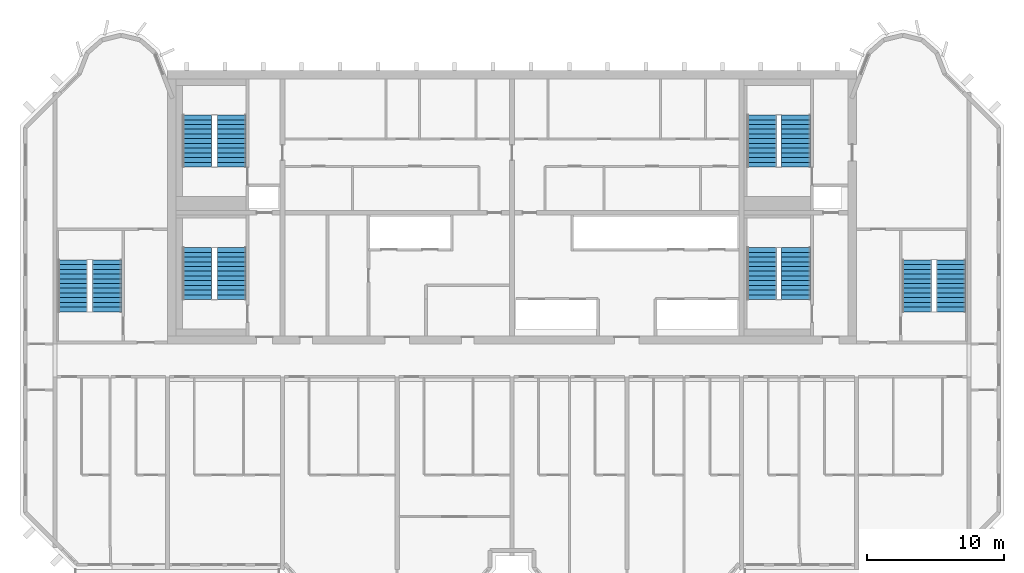
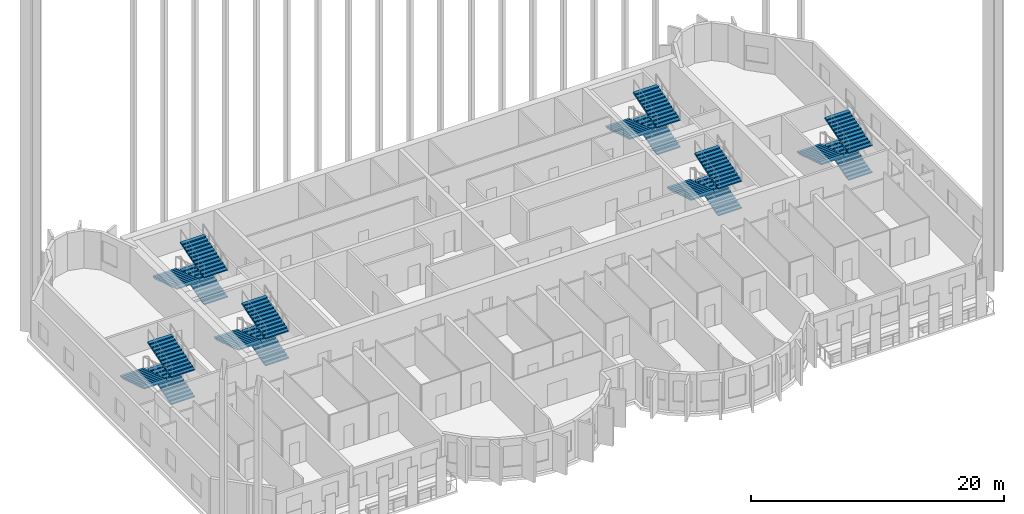
# One storey, part 9 of 13: 18 stair flights, 6 elements without a shape of their own.
"""IFC4 building model written with IfcOpenShell, lengths in metres."""

from ifc_helpers import new_model, si_unit, direction, frame, origin, place, context, subcontext, project, spatial, polyline, outline, extrude, source, transform, mapped, material, type_object, element, aggregate, save


model = new_model("IFC4")

# Units and contexts
model_context = context("Model", 3, precision=1e-05, world=origin(), true_north=direction((0.0, 1.0)))
body_context = subcontext(model_context, "Body", "Model", "MODEL_VIEW")
ifc_project = project(units=[si_unit("LENGTHUNIT", "METRE"), si_unit("AREAUNIT", "SQUARE_METRE"), si_unit("VOLUMEUNIT", "CUBIC_METRE"), si_unit("PLANEANGLEUNIT", "RADIAN"), si_unit("MASSUNIT", "GRAM", prefix="KILO")], contexts=[model_context])

# Site, building, storey
site_placement = place(None, origin())
site = spatial("IfcSite", under=ifc_project, at=site_placement, CompositionType="ELEMENT")
building_placement = place(site_placement, origin())
building = spatial("IfcBuilding", under=site, at=building_placement, Name="Vanashikhar Sky Hotel", CompositionType="ELEMENT")
storey_placement = place(building_placement, frame((0.0, 0.0, 214.0)))
storey = spatial("IfcBuildingStorey", under=building, at=storey_placement, Name="L51", CompositionType="ELEMENT", Elevation=214.0)

# Stair, stair flights
ifc_material = material(Name="Concrete M40", Category="concrete")
stair_type = type_object("IfcStairType", Name="Exit stair 2150", PredefinedType="DOUBLE_RETURN_STAIR", material=ifc_material)
stair_1_placement = place(storey_placement, origin())
stair_1 = element("IfcStair", 1, at=stair_1_placement, inside=storey, type_object=stair_type, Name="L51 Exit stair 1", PredefinedType="DOUBLE_RETURN_STAIR")
stair_flight_type = type_object("IfcStairFlightType", Name="Stair flight 2150", PredefinedType="STRAIGHT", material=ifc_material)
shared_shape = source(origin(), body_context, "Body", "SweptSolid", [
    extrude(outline(polyline([(0.0, 0.0), (0.0, 0.1083984375), (0.345458984375, 0.1083984375), (0.345458984375, 0.216552734375), (0.69091796875, 0.216552734375), (0.69091796875, 0.324951171875), (1.036376953125, 0.324951171875), (1.036376953125, 0.433349609375), (1.3818359375, 0.433349609375), (1.3818359375, 0.541748046875), (1.727294921875, 0.541748046875), (1.727294921875, 0.64990234375), (2.07275390625, 0.64990234375), (2.07275390625, 0.75830078125), (2.418212890625, 0.75830078125), (2.418212890625, 0.86669921875), (2.763671875, 0.86669921875), (2.763671875, 0.97509765625), (3.109130859375, 0.97509765625), (3.109130859375, 1.083251953125), (3.45458984375, 1.083251953125), (3.45458984375, 1.191650390625), (3.800048828125, 1.191650390625), (3.800048828125, 1.300048828125), (3.800048828125, 1.065673828125), (0.4013671875, 0.0), (0.0, 0.0)])), frame((0.0, 1.074951171875, 0.0), z_axis=(0.0, -1.0, 0.0), x_axis=(1.0, 0.0, 0.0)), (0.0, 0.0, 1.0), 2.14990234375),
])
stair_flight_1_placement = place(storey_placement, frame((29.875, 25.25, 0.0), z_axis=(0.0, 0.0, 1.0), x_axis=(0.0, 1.0, 0.0)))
stair_flight_1 = element("IfcStairFlight", 2, at=stair_flight_1_placement, type_object=stair_flight_type, Name="ST-C1 flight 1", NumberOfRisers=12, NumberOfTreads=11, PredefinedType="STRAIGHT", RiserHeight=0.108333333, TreadLength=0.345454545, context=body_context, shape_type="MappedRepresentation", body=[
    mapped(shared_shape, transform((0.0, 0.0, 0.0), scale=1.0)),
])
stair_flight_2_placement = place(storey_placement, frame((27.375, 29.050048828125, 1.300048828125), z_axis=(0.0, 0.0, 1.0), x_axis=(0.0, -1.0, 0.0)))
stair_flight_2 = element("IfcStairFlight", 3, at=stair_flight_2_placement, type_object=stair_flight_type, Name="ST-C1 flight 2", NumberOfRisers=12, NumberOfTreads=11, PredefinedType="STRAIGHT", RiserHeight=0.108333333, TreadLength=0.345454545, context=body_context, shape_type="MappedRepresentation", body=[
    mapped(shared_shape, transform((0.0, 0.0, 0.0), scale=1.0)),
])
stair_flight_3_placement = place(storey_placement, frame((29.875, 25.25, 2.60009765625), z_axis=(0.0, 0.0, 1.0), x_axis=(0.0, 1.0, 0.0)))
stair_flight_3 = element("IfcStairFlight", 4, at=stair_flight_3_placement, type_object=stair_flight_type, Name="ST-C1 flight 3", NumberOfRisers=12, NumberOfTreads=11, PredefinedType="STRAIGHT", RiserHeight=0.108333333, TreadLength=0.345454545, context=body_context, shape_type="MappedRepresentation", body=[
    mapped(shared_shape, transform((0.0, 0.0, 0.0), scale=1.0)),
])
aggregate(stair_1, [stair_flight_1, stair_flight_2, stair_flight_3])

stair_2_placement = place(storey_placement, origin())
stair_2 = element("IfcStair", 5, at=stair_2_placement, inside=storey, type_object=stair_type, Name="L51 Exit stair 2", PredefinedType="DOUBLE_RETURN_STAIR")
stair_flight_4_placement = place(storey_placement, frame((71.175048828125, 25.25, 0.0), z_axis=(0.0, 0.0, 1.0), x_axis=(0.0, 1.0, 0.0)))
stair_flight_4 = element("IfcStairFlight", 6, at=stair_flight_4_placement, type_object=stair_flight_type, Name="ST-C2 flight 1", NumberOfRisers=12, NumberOfTreads=11, PredefinedType="STRAIGHT", RiserHeight=0.108333333, TreadLength=0.345454545, context=body_context, shape_type="MappedRepresentation", body=[
    mapped(shared_shape, transform((0.0, 0.0, 0.0), scale=1.0)),
])
stair_flight_5_placement = place(storey_placement, frame((68.675048828125, 29.050048828125, 1.300048828125), z_axis=(0.0, 0.0, 1.0), x_axis=(0.0, -1.0, 0.0)))
stair_flight_5 = element("IfcStairFlight", 7, at=stair_flight_5_placement, type_object=stair_flight_type, Name="ST-C2 flight 2", NumberOfRisers=12, NumberOfTreads=11, PredefinedType="STRAIGHT", RiserHeight=0.108333333, TreadLength=0.345454545, context=body_context, shape_type="MappedRepresentation", body=[
    mapped(shared_shape, transform((0.0, 0.0, 0.0), scale=1.0)),
])
stair_flight_6_placement = place(storey_placement, frame((71.175048828125, 25.25, 2.60009765625), z_axis=(0.0, 0.0, 1.0), x_axis=(0.0, 1.0, 0.0)))
stair_flight_6 = element("IfcStairFlight", 8, at=stair_flight_6_placement, type_object=stair_flight_type, Name="ST-C2 flight 3", NumberOfRisers=12, NumberOfTreads=11, PredefinedType="STRAIGHT", RiserHeight=0.108333333, TreadLength=0.345454545, context=body_context, shape_type="MappedRepresentation", body=[
    mapped(shared_shape, transform((0.0, 0.0, 0.0), scale=1.0)),
])
aggregate(stair_2, [stair_flight_4, stair_flight_5, stair_flight_6])

stair_3_placement = place(storey_placement, origin())
stair_3 = element("IfcStair", 9, at=stair_3_placement, inside=storey, type_object=stair_type, Name="L51 Exit stair 3", PredefinedType="DOUBLE_RETURN_STAIR")
stair_flight_7_placement = place(storey_placement, frame((20.77490234375, 24.35009765625, 0.0), z_axis=(0.0, 0.0, 1.0), x_axis=(0.0, 1.0, 0.0)))
stair_flight_7 = element("IfcStairFlight", 10, at=stair_flight_7_placement, type_object=stair_flight_type, Name="ST-W flight 1", NumberOfRisers=12, NumberOfTreads=11, PredefinedType="STRAIGHT", RiserHeight=0.108333333, TreadLength=0.345454545, context=body_context, shape_type="MappedRepresentation", body=[
    mapped(shared_shape, transform((0.0, 0.0, 0.0), scale=1.0)),
])
stair_flight_8_placement = place(storey_placement, frame((18.27490234375, 28.14990234375, 1.300048828125), z_axis=(0.0, 0.0, 1.0), x_axis=(0.0, -1.0, 0.0)))
stair_flight_8 = element("IfcStairFlight", 11, at=stair_flight_8_placement, type_object=stair_flight_type, Name="ST-W flight 2", NumberOfRisers=12, NumberOfTreads=11, PredefinedType="STRAIGHT", RiserHeight=0.108333333, TreadLength=0.345454545, context=body_context, shape_type="MappedRepresentation", body=[
    mapped(shared_shape, transform((0.0, 0.0, 0.0), scale=1.0)),
])
stair_flight_9_placement = place(storey_placement, frame((20.77490234375, 24.35009765625, 2.60009765625), z_axis=(0.0, 0.0, 1.0), x_axis=(0.0, 1.0, 0.0)))
stair_flight_9 = element("IfcStairFlight", 12, at=stair_flight_9_placement, type_object=stair_flight_type, Name="ST-W flight 3", NumberOfRisers=12, NumberOfTreads=11, PredefinedType="STRAIGHT", RiserHeight=0.108333333, TreadLength=0.345454545, context=body_context, shape_type="MappedRepresentation", body=[
    mapped(shared_shape, transform((0.0, 0.0, 0.0), scale=1.0)),
])
aggregate(stair_3, [stair_flight_7, stair_flight_8, stair_flight_9])

stair_4_placement = place(storey_placement, origin())
stair_4 = element("IfcStair", 13, at=stair_4_placement, inside=storey, type_object=stair_type, Name="L51 Exit stair 4", PredefinedType="DOUBLE_RETURN_STAIR")
stair_flight_10_placement = place(storey_placement, frame((82.52490234375, 24.35009765625, 0.0), z_axis=(0.0, 0.0, 1.0), x_axis=(0.0, 1.0, 0.0)))
stair_flight_10 = element("IfcStairFlight", 14, at=stair_flight_10_placement, type_object=stair_flight_type, Name="ST-E flight 1", NumberOfRisers=12, NumberOfTreads=11, PredefinedType="STRAIGHT", RiserHeight=0.108333333, TreadLength=0.345454545, context=body_context, shape_type="MappedRepresentation", body=[
    mapped(shared_shape, transform((0.0, 0.0, 0.0), scale=1.0)),
])
stair_flight_11_placement = place(storey_placement, frame((80.02490234375, 28.14990234375, 1.300048828125), z_axis=(0.0, 0.0, 1.0), x_axis=(0.0, -1.0, 0.0)))
stair_flight_11 = element("IfcStairFlight", 15, at=stair_flight_11_placement, type_object=stair_flight_type, Name="ST-E flight 2", NumberOfRisers=12, NumberOfTreads=11, PredefinedType="STRAIGHT", RiserHeight=0.108333333, TreadLength=0.345454545, context=body_context, shape_type="MappedRepresentation", body=[
    mapped(shared_shape, transform((0.0, 0.0, 0.0), scale=1.0)),
])
stair_flight_12_placement = place(storey_placement, frame((82.52490234375, 24.35009765625, 2.60009765625), z_axis=(0.0, 0.0, 1.0), x_axis=(0.0, 1.0, 0.0)))
stair_flight_12 = element("IfcStairFlight", 16, at=stair_flight_12_placement, type_object=stair_flight_type, Name="ST-E flight 3", NumberOfRisers=12, NumberOfTreads=11, PredefinedType="STRAIGHT", RiserHeight=0.108333333, TreadLength=0.345454545, context=body_context, shape_type="MappedRepresentation", body=[
    mapped(shared_shape, transform((0.0, 0.0, 0.0), scale=1.0)),
])
aggregate(stair_4, [stair_flight_10, stair_flight_11, stair_flight_12])

stair_5_placement = place(storey_placement, origin())
stair_5 = element("IfcStair", 17, at=stair_5_placement, inside=storey, type_object=stair_type, Name="L51 Exit stair 5", PredefinedType="DOUBLE_RETURN_STAIR")
stair_flight_13_placement = place(storey_placement, frame((29.875, 34.949951171875, 0.0), z_axis=(0.0, 0.0, 1.0), x_axis=(0.0, 1.0, 0.0)))
stair_flight_13 = element("IfcStairFlight", 18, at=stair_flight_13_placement, type_object=stair_flight_type, Name="ST-C3 flight 1", NumberOfRisers=12, NumberOfTreads=11, PredefinedType="STRAIGHT", RiserHeight=0.108333333, TreadLength=0.345454545, context=body_context, shape_type="MappedRepresentation", body=[
    mapped(shared_shape, transform((0.0, 0.0, 0.0), scale=1.0)),
])
stair_flight_14_placement = place(storey_placement, frame((27.375, 38.75, 1.300048828125), z_axis=(0.0, 0.0, 1.0), x_axis=(0.0, -1.0, 0.0)))
stair_flight_14 = element("IfcStairFlight", 19, at=stair_flight_14_placement, type_object=stair_flight_type, Name="ST-C3 flight 2", NumberOfRisers=12, NumberOfTreads=11, PredefinedType="STRAIGHT", RiserHeight=0.108333333, TreadLength=0.345454545, context=body_context, shape_type="MappedRepresentation", body=[
    mapped(shared_shape, transform((0.0, 0.0, 0.0), scale=1.0)),
])
stair_flight_15_placement = place(storey_placement, frame((29.875, 34.949951171875, 2.60009765625), z_axis=(0.0, 0.0, 1.0), x_axis=(0.0, 1.0, 0.0)))
stair_flight_15 = element("IfcStairFlight", 20, at=stair_flight_15_placement, type_object=stair_flight_type, Name="ST-C3 flight 3", NumberOfRisers=12, NumberOfTreads=11, PredefinedType="STRAIGHT", RiserHeight=0.108333333, TreadLength=0.345454545, context=body_context, shape_type="MappedRepresentation", body=[
    mapped(shared_shape, transform((0.0, 0.0, 0.0), scale=1.0)),
])
aggregate(stair_5, [stair_flight_13, stair_flight_14, stair_flight_15])

stair_6_placement = place(storey_placement, origin())
stair_6 = element("IfcStair", 21, at=stair_6_placement, inside=storey, type_object=stair_type, Name="L51 Exit stair 6", PredefinedType="DOUBLE_RETURN_STAIR")
stair_flight_16_placement = place(storey_placement, frame((71.175048828125, 34.949951171875, 0.0), z_axis=(0.0, 0.0, 1.0), x_axis=(0.0, 1.0, 0.0)))
stair_flight_16 = element("IfcStairFlight", 22, at=stair_flight_16_placement, type_object=stair_flight_type, Name="ST-C4 flight 1", NumberOfRisers=12, NumberOfTreads=11, PredefinedType="STRAIGHT", RiserHeight=0.108333333, TreadLength=0.345454545, context=body_context, shape_type="MappedRepresentation", body=[
    mapped(shared_shape, transform((0.0, 0.0, 0.0), scale=1.0)),
])
stair_flight_17_placement = place(storey_placement, frame((68.675048828125, 38.75, 1.300048828125), z_axis=(0.0, 0.0, 1.0), x_axis=(0.0, -1.0, 0.0)))
stair_flight_17 = element("IfcStairFlight", 23, at=stair_flight_17_placement, type_object=stair_flight_type, Name="ST-C4 flight 2", NumberOfRisers=12, NumberOfTreads=11, PredefinedType="STRAIGHT", RiserHeight=0.108333333, TreadLength=0.345454545, context=body_context, shape_type="MappedRepresentation", body=[
    mapped(shared_shape, transform((0.0, 0.0, 0.0), scale=1.0)),
])
stair_flight_18_placement = place(storey_placement, frame((71.175048828125, 34.949951171875, 2.60009765625), z_axis=(0.0, 0.0, 1.0), x_axis=(0.0, 1.0, 0.0)))
stair_flight_18 = element("IfcStairFlight", 24, at=stair_flight_18_placement, type_object=stair_flight_type, Name="ST-C4 flight 3", NumberOfRisers=12, NumberOfTreads=11, PredefinedType="STRAIGHT", RiserHeight=0.108333333, TreadLength=0.345454545, context=body_context, shape_type="MappedRepresentation", body=[
    mapped(shared_shape, transform((0.0, 0.0, 0.0), scale=1.0)),
])
aggregate(stair_6, [stair_flight_16, stair_flight_17, stair_flight_18])

save(model, "model.ifc")
